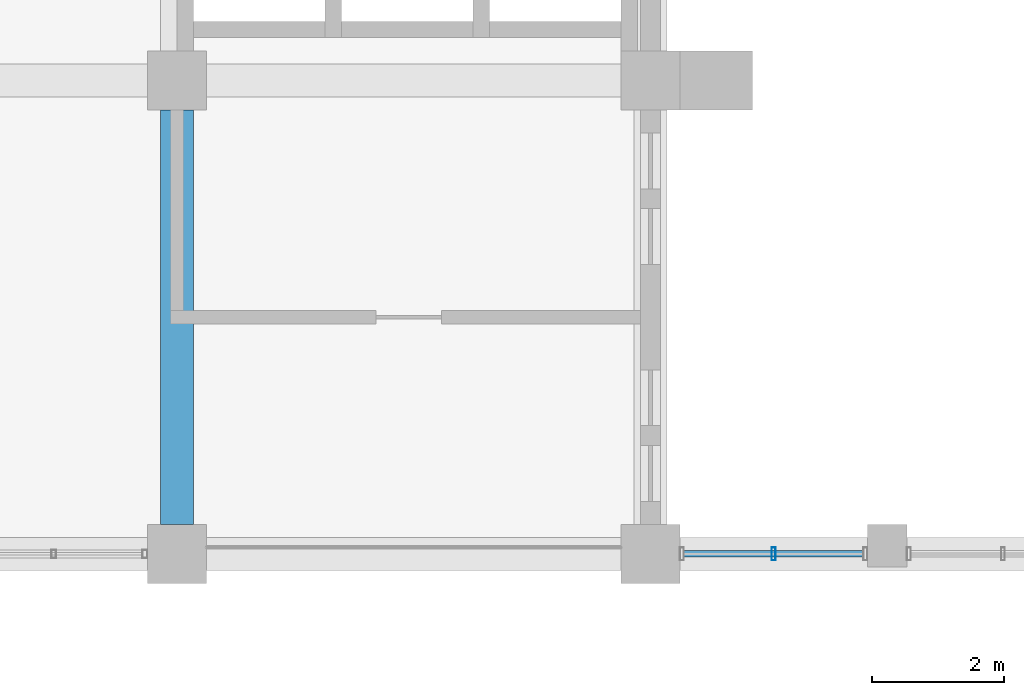
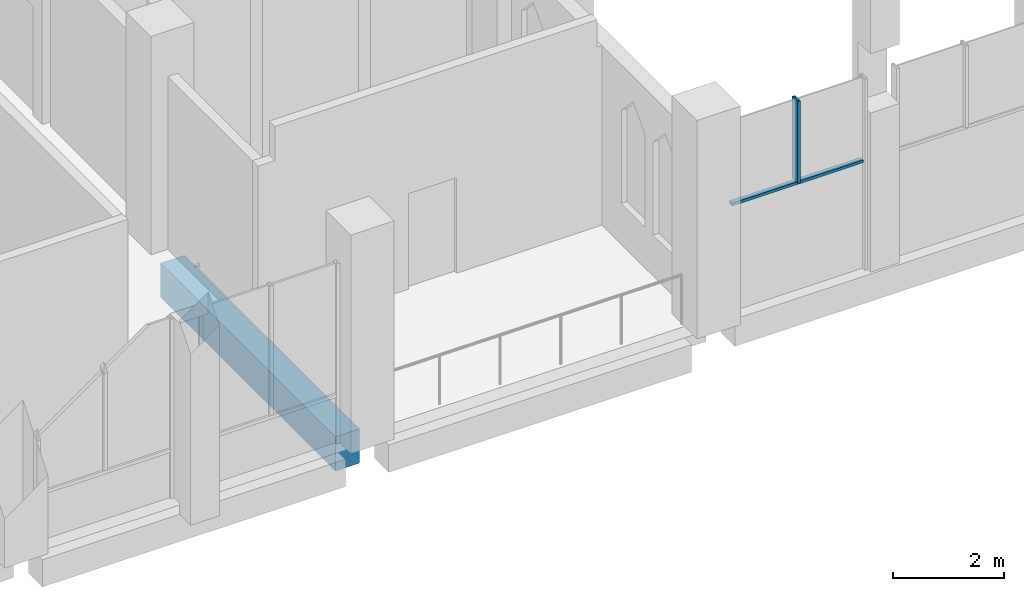
# One storey, part 11 of 40: 2 members, 1 beam, 1 element without a shape of its own.
"""IFC4 building model written with IfcOpenShell, lengths in metres."""

import ifcopenshell
import ifcopenshell.guid

model = None  # the IFC model being written
_history = None  # IfcOwnerHistory: only IFC2X3 demands one
_inside = {}  # id of a spatial element -> (the spatial element, [elements in it])
_under = {}  # id of a project, library or spatial element -> (it, [spatial elements below it])
_declared = {}  # id of a project -> (the project, [libraries it declares])
_typed = {}  # id of a type object -> (the type object, [elements of that type])
_made_of = {}  # id of a material, layer set ... -> (it, [elements and type objects made of it])


def new_model(schema):
    """Start an empty IFC model of exactly this schema.

    Asked for "IFC4X3", IfcOpenShell would pick the latest addendum, in which some entities
    have other attributes; the version numbers below select the first issue.
    IFC2X3 requires an IfcOwnerHistory on every rooted entity: one is made here for all.
    """
    global model, _history
    if schema == "IFC4X3":
        model = ifcopenshell.file(schema_version=(4, 3, 0, 0))
    else:
        model = ifcopenshell.file(schema=schema)
    _inside.clear()
    _under.clear()
    _declared.clear()
    _typed.clear()
    _made_of.clear()
    _history = None
    if model.schema == "IFC2X3":
        org = make("IfcOrganization", Name="unknown")
        user = make(
            "IfcPersonAndOrganization",
            ThePerson=make("IfcPerson", FamilyName="unknown"),
            TheOrganization=org,
        )
        app = make(
            "IfcApplication",
            ApplicationDeveloper=org,
            Version="unknown",
            ApplicationFullName="unknown",
            ApplicationIdentifier="unknown",
        )
        _history = make(
            "IfcOwnerHistory",
            OwningUser=user,
            OwningApplication=app,
            ChangeAction="ADDED",
            CreationDate=0,
        )
    return model


def make(cls, **values):
    """One entity of the class cls with the attributes given. An attribute that is None is left unset."""
    return model.create_entity(
        cls, **{name: value for name, value in values.items() if value is not None}
    )


def rooted(cls, **values):
    """An entity with a GlobalId (a new one), such as an element, a storey or a relation."""
    return make(cls, GlobalId=ifcopenshell.guid.new(), OwnerHistory=_history, **values)


def si_unit(unit_type, name, prefix=None):
    """IfcSIUnit, for example si_unit("LENGTHUNIT", "METRE", prefix="MILLI")."""
    return make("IfcSIUnit", UnitType=unit_type, Prefix=prefix, Name=name)


def assignment(units):
    """IfcUnitAssignment: the units of a project."""
    return None if units is None else make("IfcUnitAssignment", Units=units)


def point(xyz):
    """IfcCartesianPoint."""
    return None if xyz is None else make("IfcCartesianPoint", Coordinates=xyz)


def direction(xyz):
    """IfcDirection."""
    return None if xyz is None else make("IfcDirection", DirectionRatios=xyz)


def frame(location, z_axis=None, x_axis=None):
    """IfcAxis2Placement3D, a coordinate frame: its origin and axes. An axis left out is left unset."""
    return make(
        "IfcAxis2Placement3D",
        Location=point(location),
        Axis=direction(z_axis),
        RefDirection=direction(x_axis),
    )


def frame_2d(location, x_axis=None):
    """IfcAxis2Placement2D, a coordinate frame in the plane: its origin and x axis."""
    return make(
        "IfcAxis2Placement2D", Location=point(location), RefDirection=direction(x_axis)
    )


def origin():
    """The frame at (0, 0, 0) with its axes left unset."""
    return frame((0.0, 0.0, 0.0))


def origin_2d():
    """The frame at (0, 0) in the plane with its x axis left unset."""
    return frame_2d((0.0, 0.0))


def place(relative_to, where):
    """IfcLocalPlacement: puts the frame where relative to a parent placement (None: the world)."""
    return make(
        "IfcLocalPlacement", PlacementRelTo=relative_to, RelativePlacement=where
    )


def context(
    kind, dimensions, precision=None, world=None, true_north=None, identifier=None
):
    """IfcGeometricRepresentationContext, for example the 3D "Model" context."""
    return make(
        "IfcGeometricRepresentationContext",
        ContextIdentifier=identifier,
        ContextType=kind,
        CoordinateSpaceDimension=dimensions,
        Precision=precision,
        WorldCoordinateSystem=world,
        TrueNorth=true_north,
    )


def subcontext(parent, identifier, kind, view, scale=None):
    """IfcGeometricRepresentationSubContext, for example "Body" below "Model"."""
    return make(
        "IfcGeometricRepresentationSubContext",
        ContextIdentifier=identifier,
        ContextType=kind,
        ParentContext=parent,
        TargetScale=scale,
        TargetView=view,
    )


def project(units=None, contexts=None):
    """IfcProject with its units and contexts."""
    return rooted(
        "IfcProject",
        Name="project",
        RepresentationContexts=contexts,
        UnitsInContext=assignment(units),
    )


def spatial(cls, under=None, at=None, **own):
    """A site, building, storey or space (cls), placed at a placement, below another one or the project."""
    s = rooted(cls, ObjectPlacement=at, **own)
    if under is not None:
        _under.setdefault(under.id(), (under, []))[1].append(s)
    return s


def profile(cls, at=None, kind="AREA", **sizes):
    """A parametric profile (cls). Its sizes go by their IFC names, for example OverallWidth=200.0."""
    return make(cls, ProfileType=kind, Position=at, **sizes)


def rectangle(**sizes):
    """IfcRectangleProfileDef."""
    return profile("IfcRectangleProfileDef", **sizes)


def hollow_rectangle(**sizes):
    """IfcRectangleHollowProfileDef."""
    return profile("IfcRectangleHollowProfileDef", **sizes)


def extrude(swept, where, along, depth):
    """IfcExtrudedAreaSolid: the profile swept, set in the frame where, extruded along a direction by depth."""
    return make(
        "IfcExtrudedAreaSolid",
        SweptArea=swept,
        Position=where,
        ExtrudedDirection=direction(along),
        Depth=depth,
    )


def shape(context_of_items, identifier, shape_type, items):
    """IfcShapeRepresentation: the items that make up one representation, for example the "Body"."""
    return make(
        "IfcShapeRepresentation",
        ContextOfItems=context_of_items,
        RepresentationIdentifier=identifier,
        RepresentationType=shape_type,
        Items=items,
    )


def material(Name=None, Category=None):
    """IfcMaterial."""
    return make("IfcMaterial", Name=Name, Category=Category)


def material_profile(
    of_material, cross_section, Name=None, Category=None, Priority=None
):
    """IfcMaterialProfile: a cross section and its material."""
    return make(
        "IfcMaterialProfile",
        Name=Name,
        Material=of_material,
        Profile=cross_section,
        Priority=Priority,
        Category=Category,
    )


def profile_set(profiles, Name=None, composite=None):
    """IfcMaterialProfileSet."""
    return make(
        "IfcMaterialProfileSet",
        Name=Name,
        MaterialProfiles=profiles,
        CompositeProfile=composite,
    )


def made_of(thing, what):
    """Note that an element or type object is made of a material, layer set ...; save() writes the relation."""
    if what is not None:
        _made_of.setdefault(what.id(), (what, []))[1].append(thing)
    return thing


def type_object(cls, material=None, **own):
    """A type object (cls), such as IfcWallType, which elements share."""
    return made_of(rooted(cls, **own), material)


def element(
    cls,
    number,
    at=None,
    inside=None,
    cuts=None,
    type_object=None,
    material=None,
    context=None,
    identifier="Body",
    shape_type=None,
    held_by="IfcProductDefinitionShape",
    body=None,
    shapes=None,
    **own,
):
    """One element of the class cls, such as IfcWall. Its Tag is "e" and its number.

    at: its placement. inside: the storey or other place that contains it. cuts: it is an
    opening in that element (IfcRelVoidsElement). A single representation is given by context,
    identifier, shape_type and body (its items); several are given by shapes. held_by: the class
    of the entity that holds the representations. save() writes the other relations.
    """
    e = rooted(cls, Tag="e%d" % number, ObjectPlacement=at, **own)
    if body is not None:
        shapes = [shape(context, identifier, shape_type, body)]
    if shapes is not None:
        e.Representation = make(held_by, Representations=shapes)
    if inside is not None:
        _inside.setdefault(inside.id(), (inside, []))[1].append(e)
    if cuts is not None:
        rooted(
            "IfcRelVoidsElement", RelatingBuildingElement=cuts, RelatedOpeningElement=e
        )
    if type_object is not None:
        _typed.setdefault(type_object.id(), (type_object, []))[1].append(e)
    return made_of(e, material)


def aggregate(whole, parts):
    """IfcRelAggregates: a whole, such as a stair, and the parts it consists of."""
    return rooted("IfcRelAggregates", RelatingObject=whole, RelatedObjects=parts)


def save(model, path):
    """Write the relations noted so far, then the file.

    IfcRelAggregates (storeys below a building ...), IfcRelContainedInSpatialStructure (elements
    in a storey), IfcRelDefinesByType, IfcRelAssociatesMaterial and IfcRelDeclares: one each for
    every whole, place, type object, material and project.
    """
    for whole, parts in _under.values():
        aggregate(whole, parts)
    for where, things in _inside.values():
        rooted(
            "IfcRelContainedInSpatialStructure",
            RelatedElements=things,
            RelatingStructure=where,
        )
    for kind, things in _typed.values():
        rooted("IfcRelDefinesByType", RelatedObjects=things, RelatingType=kind)
    for what, things in _made_of.values():
        rooted("IfcRelAssociatesMaterial", RelatedObjects=things, RelatingMaterial=what)
    for by, libraries in _declared.values():
        rooted("IfcRelDeclares", RelatingContext=by, RelatedDefinitions=libraries)
    model.write(path)


model = new_model("IFC4")

# Units and contexts
model_context = context("Model", 3, precision=1e-05, world=origin(), true_north=direction((0.0, 1.0)))
body_context = subcontext(model_context, "Body", "Model", "MODEL_VIEW")
ifc_project = project(units=[si_unit("LENGTHUNIT", "METRE"), si_unit("AREAUNIT", "SQUARE_METRE"), si_unit("VOLUMEUNIT", "CUBIC_METRE"), si_unit("PLANEANGLEUNIT", "RADIAN"), si_unit("MASSUNIT", "GRAM", prefix="KILO")], contexts=[model_context])

# Site, building, storey
site_placement = place(None, origin())
site = spatial("IfcSite", under=ifc_project, at=site_placement, CompositionType="ELEMENT")
building_placement = place(site_placement, origin())
building = spatial("IfcBuilding", under=site, at=building_placement, Name="Silangan Lancet Faculty of Sciences", CompositionType="ELEMENT")
storey_placement = place(building_placement, frame((0.0, 0.0, 21.60009765625)))
storey = spatial("IfcBuildingStorey", under=building, at=storey_placement, Name="L04", CompositionType="ELEMENT", Elevation=21.60009765625)

# Beam
ifc_material_1 = material(Name="Concrete C40/50", Category="concrete")
ifc_material_profile_1 = material_profile(ifc_material_1, rectangle(XDim=0.5, YDim=0.75, at=origin_2d()), Name="RC 500x750")
ifc_profile_set_1 = profile_set([ifc_material_profile_1], Name="Concrete C40/50")
beam_type = type_object("IfcBeamType", Name="BEAM RC 500x750", PredefinedType="BEAM", material=ifc_profile_set_1)
beam_placement = place(storey_placement, frame((21.60009765625, 36.449951171875, -0.625), z_axis=(0.0, 1.0, 0.0), x_axis=(-1.0, 0.0, 0.0)))
element("IfcBeam", 1, at=beam_placement, inside=storey, type_object=beam_type, Name="BM-L04-4F-4G", PredefinedType="BEAM", context=body_context, shape_type="SweptSolid", body=[
    extrude(rectangle(XDim=0.5, YDim=0.75, at=origin_2d()), origin(), (0.0, 0.0, 1.0), 6.300048828125),
])

# Curtain wall, members
ifc_material_2 = material(Name="Aluminium framed curtain wall with insulated glass", Category="aluminium")
curtain_wall_type = type_object("IfcCurtainWallType", Name="CW5 Nave north light glazing", PredefinedType="NOTDEFINED", material=ifc_material_2)
curtain_wall_placement = place(storey_placement, origin())
curtain_wall = element("IfcCurtainWall", 2, at=curtain_wall_placement, inside=storey, type_object=curtain_wall_type, Name="CW5 Nave north lights L04 bay 6", PredefinedType="NOTDEFINED")
ifc_material_3 = material(Name="Aluminium 6063-T6 extrusion", Category="aluminium")
ifc_material_profile_2 = material_profile(ifc_material_3, hollow_rectangle(XDim=0.06005859375, YDim=0.199951171875, WallThickness=0.00390625, at=origin_2d()), Name="AL BOX 60x200x4")
ifc_profile_set_2 = profile_set([ifc_material_profile_2], Name="Aluminium 6063-T6 extrusion")
member_type_1 = type_object("IfcMemberType", Name="CM1 Mullion 60x200", PredefinedType="MULLION", material=ifc_profile_set_2)
member_1_placement = place(storey_placement, frame((30.675048828125, 36.0, 2.39990234375), z_axis=(0.0, 0.0, 1.0), x_axis=(-1.0, 0.0, 0.0)))
member_1 = element("IfcMember", 3, at=member_1_placement, type_object=member_type_1, Name="CW5 Nave north lights L04 bay 6 mullion 3", PredefinedType="MULLION", context=body_context, shape_type="SweptSolid", body=[
    extrude(hollow_rectangle(XDim=0.06005859375, YDim=0.199951171875, WallThickness=0.00390625, at=origin_2d()), origin(), (0.0, 0.0, 1.0), 1.800048828125),
])
ifc_material_4 = material(Name="Aluminium 6063-T6 extrusion", Category="aluminium")
ifc_material_profile_3 = material_profile(ifc_material_4, hollow_rectangle(XDim=0.10009765625, YDim=0.06005859375, WallThickness=0.0029296875, at=origin_2d()), Name="AL BOX 100x60x3")
ifc_profile_set_3 = profile_set([ifc_material_profile_3], Name="Aluminium 6063-T6 extrusion")
member_type_2 = type_object("IfcMemberType", Name="CT1 Transom 100x60", PredefinedType="USERDEFINED", material=ifc_profile_set_3)
member_2_placement = place(storey_placement, frame((32.039794921875, 36.0, 2.369873046875), z_axis=(-1.0, 0.0, 0.0), x_axis=(0.0, -1.0, 0.0)))
member_2 = element("IfcMember", 4, at=member_2_placement, type_object=member_type_2, Name="CW5 Nave north lights L04 bay 6 transom 1", ObjectType="TRANSOM", PredefinedType="USERDEFINED", context=body_context, shape_type="SweptSolid", body=[
    extrude(hollow_rectangle(XDim=0.10009765625, YDim=0.06005859375, WallThickness=0.0029296875, at=origin_2d()), origin(), (0.0, 0.0, 1.0), 2.729736328125),
])
aggregate(curtain_wall, [member_1, member_2])

save(model, "model.ifc")
